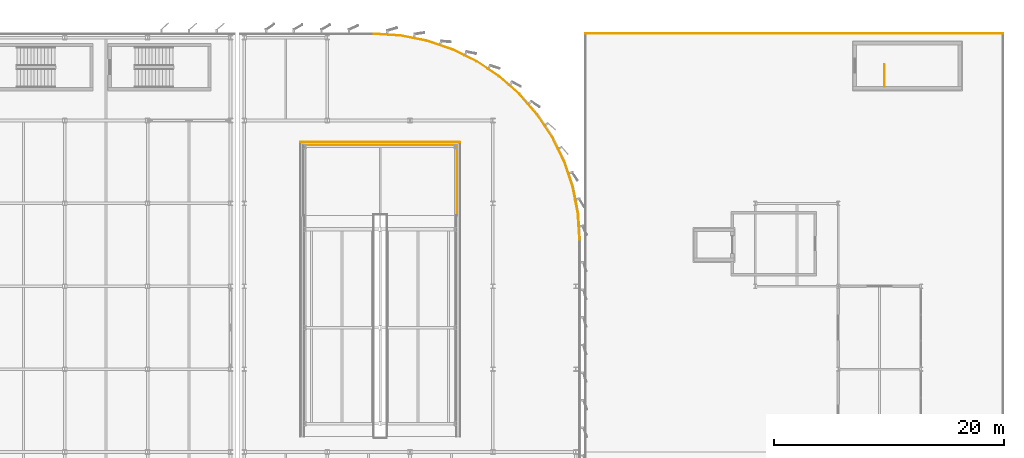
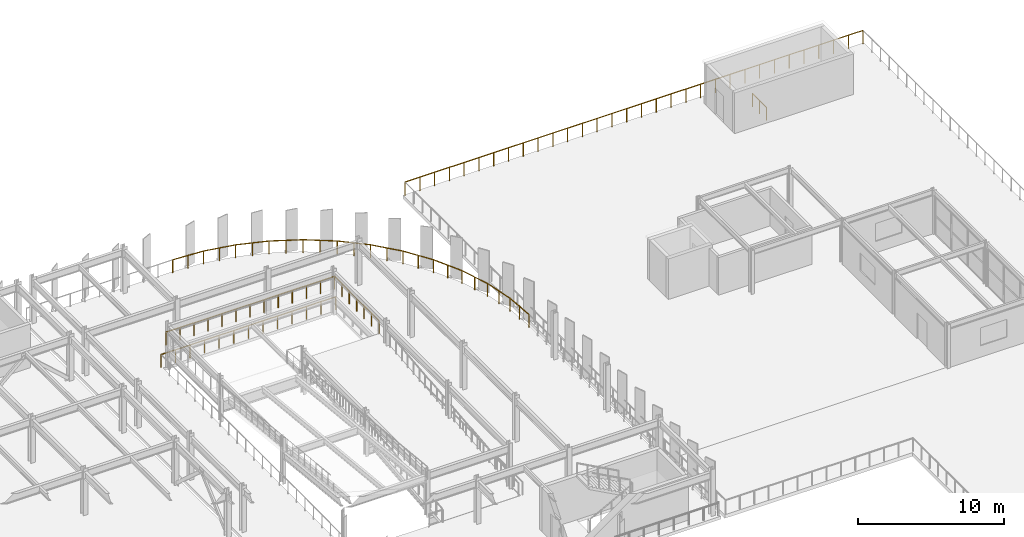
# One storey, part 52 of 52: 17 railings.
"""IFC4 building model written with IfcOpenShell, lengths in metres."""

from ifc_helpers import new_model, si_unit, direction, frame, origin, origin_2d, place, context, subcontext, project, spatial, circle, extrude, material, layer, layer_set, type_object, element, save


model = new_model("IFC4")

# Units and contexts
model_context = context("Model", 3, precision=1e-05, world=origin(), true_north=direction((0.0, 1.0)))
body_context = subcontext(model_context, "Body", "Model", "MODEL_VIEW")
ifc_project = project(units=[si_unit("LENGTHUNIT", "METRE"), si_unit("AREAUNIT", "SQUARE_METRE"), si_unit("VOLUMEUNIT", "CUBIC_METRE"), si_unit("PLANEANGLEUNIT", "RADIAN"), si_unit("MASSUNIT", "GRAM", prefix="KILO")], contexts=[model_context])

# Site, building, storey
site_placement = place(None, origin())
site = spatial("IfcSite", under=ifc_project, at=site_placement, CompositionType="ELEMENT")
building_placement = place(site_placement, origin())
building = spatial("IfcBuilding", under=site, at=building_placement, Name="Vaelcorin Mobility Hub", CompositionType="ELEMENT")
storey_placement = place(building_placement, frame((0.0, 0.0, 13.199951171875)))
storey = spatial("IfcBuildingStorey", under=building, at=storey_placement, Name="L03", CompositionType="ELEMENT", Elevation=13.199951171875)

# Railings
ifc_material_1 = material(Name="Galvanised structural steel ASTM A36", Category="steel")
ifc_layer_1 = layer(ifc_material_1, 0.070068359375)
ifc_layer_set_1 = layer_set([ifc_layer_1], Name="Galvanised structural steel ASTM A36")
railing_type_1 = type_object("IfcRailingType", Name="RL-GUARD-1100", PredefinedType="BALUSTRADE", material=ifc_layer_set_1)
railing_1_placement = place(storey_placement, frame((128.47998046875, 110.919921875, 0.0)))
element("IfcRailing", 1, at=railing_1_placement, inside=storey, type_object=railing_type_1, Name="L03 Perimeter Guard GR-V2E-L03-WELL-02", PredefinedType="BALUSTRADE", context=body_context, shape_type="SweptSolid", body=[
    extrude(circle(Radius=0.02392578125, at=origin_2d()), frame((0.0, 0.0, 1.076171875), z_axis=(1.0, 0.0, 0.0), x_axis=(0.0, 1.0, 0.0)), (0.0, 0.0, 1.0), 13.840087890625),
    extrude(circle(Radius=0.02099609375, at=origin_2d()), origin(), (0.0, 0.0, 1.0), 1.052001953125),
    extrude(circle(Radius=0.02099609375, at=origin_2d()), frame((1.1533203125, 0.0, 0.0)), (0.0, 0.0, 1.0), 1.052001953125),
    extrude(circle(Radius=0.02099609375, at=origin_2d()), frame((2.306640625, 0.0, 0.0)), (0.0, 0.0, 1.0), 1.052001953125),
    extrude(circle(Radius=0.02099609375, at=origin_2d()), frame((3.4599609375, 0.0, 0.0)), (0.0, 0.0, 1.0), 1.052001953125),
    extrude(circle(Radius=0.02099609375, at=origin_2d()), frame((4.61328125, 0.0, 0.0)), (0.0, 0.0, 1.0), 1.052001953125),
    extrude(circle(Radius=0.02099609375, at=origin_2d()), frame((5.7666015625, 0.0, 0.0)), (0.0, 0.0, 1.0), 1.052001953125),
    extrude(circle(Radius=0.02099609375, at=origin_2d()), frame((6.919921875, 0.0, 0.0)), (0.0, 0.0, 1.0), 1.052001953125),
    extrude(circle(Radius=0.02099609375, at=origin_2d()), frame((8.073486328125, 0.0, 0.0)), (0.0, 0.0, 1.0), 1.052001953125),
    extrude(circle(Radius=0.02099609375, at=origin_2d()), frame((9.226806640625, 0.0, 0.0)), (0.0, 0.0, 1.0), 1.052001953125),
    extrude(circle(Radius=0.02099609375, at=origin_2d()), frame((10.380126953125, 0.0, 0.0)), (0.0, 0.0, 1.0), 1.052001953125),
    extrude(circle(Radius=0.02099609375, at=origin_2d()), frame((11.533447265625, 0.0, 0.0)), (0.0, 0.0, 1.0), 1.052001953125),
    extrude(circle(Radius=0.02099609375, at=origin_2d()), frame((12.686767578125, 0.0, 0.0)), (0.0, 0.0, 1.0), 1.052001953125),
    extrude(circle(Radius=0.02099609375, at=origin_2d()), frame((13.840087890625, 0.0, 0.0)), (0.0, 0.0, 1.0), 1.052001953125),
])
railing_2_placement = place(storey_placement, frame((128.72998046875, 110.669921875, 1.949951171875)))
element("IfcRailing", 2, at=railing_2_placement, inside=storey, type_object=railing_type_1, Name="L03 Perimeter Guard GR-V2E-L03-LND-02", PredefinedType="BALUSTRADE", context=body_context, shape_type="SweptSolid", body=[
    extrude(circle(Radius=0.02392578125, at=origin_2d()), frame((0.0, 0.0, 1.076171875), z_axis=(1.0, 0.0, 0.0), x_axis=(0.0, 1.0, 0.0)), (0.0, 0.0, 1.0), 13.340087890625),
    extrude(circle(Radius=0.02099609375, at=origin_2d()), origin(), (0.0, 0.0, 1.0), 1.052001953125),
    extrude(circle(Radius=0.02099609375, at=origin_2d()), frame((1.111572265625, 0.0, 0.0)), (0.0, 0.0, 1.0), 1.052001953125),
    extrude(circle(Radius=0.02099609375, at=origin_2d()), frame((2.223388671875, 0.0, 0.0)), (0.0, 0.0, 1.0), 1.052001953125),
    extrude(circle(Radius=0.02099609375, at=origin_2d()), frame((3.3349609375, 0.0, 0.0)), (0.0, 0.0, 1.0), 1.052001953125),
    extrude(circle(Radius=0.02099609375, at=origin_2d()), frame((4.44677734375, 0.0, 0.0)), (0.0, 0.0, 1.0), 1.052001953125),
    extrude(circle(Radius=0.02099609375, at=origin_2d()), frame((5.558349609375, 0.0, 0.0)), (0.0, 0.0, 1.0), 1.052001953125),
    extrude(circle(Radius=0.02099609375, at=origin_2d()), frame((6.669921875, 0.0, 0.0)), (0.0, 0.0, 1.0), 1.052001953125),
    extrude(circle(Radius=0.02099609375, at=origin_2d()), frame((7.78173828125, 0.0, 0.0)), (0.0, 0.0, 1.0), 1.052001953125),
    extrude(circle(Radius=0.02099609375, at=origin_2d()), frame((8.893310546875, 0.0, 0.0)), (0.0, 0.0, 1.0), 1.052001953125),
    extrude(circle(Radius=0.02099609375, at=origin_2d()), frame((10.005126953125, 0.0, 0.0)), (0.0, 0.0, 1.0), 1.052001953125),
    extrude(circle(Radius=0.02099609375, at=origin_2d()), frame((11.11669921875, 0.0, 0.0)), (0.0, 0.0, 1.0), 1.052001953125),
    extrude(circle(Radius=0.02099609375, at=origin_2d()), frame((12.228515625, 0.0, 0.0)), (0.0, 0.0, 1.0), 1.052001953125),
    extrude(circle(Radius=0.02099609375, at=origin_2d()), frame((13.340087890625, 0.0, 0.0)), (0.0, 0.0, 1.0), 1.052001953125),
])
railing_3_placement = place(storey_placement, frame((142.070068359375, 110.669921875, 1.949951171875)))
element("IfcRailing", 3, at=railing_3_placement, inside=storey, type_object=railing_type_1, Name="L03 Perimeter Guard GR-V2E-L03-LND-03", PredefinedType="BALUSTRADE", context=body_context, shape_type="SweptSolid", body=[
    extrude(circle(Radius=0.02392578125, at=origin_2d()), frame((0.0, 0.0, 1.076171875), z_axis=(0.0, -1.0, 0.0), x_axis=(1.0, 0.0, 0.0)), (0.0, 0.0, 1.0), 6.10986328125),
    extrude(circle(Radius=0.02099609375, at=origin_2d()), origin(), (0.0, 0.0, 1.0), 1.052001953125),
    extrude(circle(Radius=0.02099609375, at=origin_2d()), frame((0.0, -1.018310546875, 0.0)), (0.0, 0.0, 1.0), 1.052001953125),
    extrude(circle(Radius=0.02099609375, at=origin_2d()), frame((0.0, -2.03662109375, 0.0)), (0.0, 0.0, 1.0), 1.052001953125),
    extrude(circle(Radius=0.02099609375, at=origin_2d()), frame((0.0, -3.054931640625, 0.0)), (0.0, 0.0, 1.0), 1.052001953125),
    extrude(circle(Radius=0.02099609375, at=origin_2d()), frame((0.0, -4.0732421875, 0.0)), (0.0, 0.0, 1.0), 1.052001953125),
    extrude(circle(Radius=0.02099609375, at=origin_2d()), frame((0.0, -5.091552734375, 0.0)), (0.0, 0.0, 1.0), 1.052001953125),
    extrude(circle(Radius=0.02099609375, at=origin_2d()), frame((0.0, -6.10986328125, 0.0)), (0.0, 0.0, 1.0), 1.052001953125),
])
railing_4_placement = place(storey_placement, frame((134.85009765625, 120.330078125, 0.0)))
element("IfcRailing", 4, at=railing_4_placement, inside=storey, type_object=railing_type_1, Name="L03 Perimeter Guard GR-V2E-L03-02", PredefinedType="BALUSTRADE", context=body_context, shape_type="SweptSolid", body=[
    extrude(circle(Radius=0.02392578125, at=origin_2d()), frame((0.0, 0.0, 1.076171875), z_axis=(0.99785616691, -0.065445169106, 0.0), x_axis=(0.065445169106, 0.99785616691, 0.0)), (0.0, 0.0, 1.0), 2.339111328125),
    extrude(circle(Radius=0.02099609375, at=origin_2d()), origin(), (0.0, 0.0, 1.0), 1.052001953125),
    extrude(circle(Radius=0.02099609375, at=origin_2d()), frame((1.1669921875, -0.07666015625, 0.0)), (0.0, 0.0, 1.0), 1.052001953125),
    extrude(circle(Radius=0.02099609375, at=origin_2d()), frame((2.333984375, -0.153076171875, 0.0)), (0.0, 0.0, 1.0), 1.052001953125),
])
railing_5_placement = place(storey_placement, frame((137.18408203125, 120.177001953125, 0.0)))
element("IfcRailing", 5, at=railing_5_placement, inside=storey, type_object=railing_type_1, Name="L03 Perimeter Guard GR-V2E-L03-03", PredefinedType="BALUSTRADE", context=body_context, shape_type="SweptSolid", body=[
    extrude(circle(Radius=0.02392578125, at=origin_2d()), frame((0.0, 0.0, 1.076171875), z_axis=(0.980804861331, -0.194991856212, 0.0), x_axis=(0.194991856212, 0.980804861331, 0.0)), (0.0, 0.0, 1.0), 2.3388671875),
    extrude(circle(Radius=0.02099609375, at=origin_2d()), origin(), (0.0, 0.0, 1.0), 1.052001953125),
    extrude(circle(Radius=0.02099609375, at=origin_2d()), frame((1.14697265625, -0.22802734375, 0.0)), (0.0, 0.0, 1.0), 1.052001953125),
    extrude(circle(Radius=0.02099609375, at=origin_2d()), frame((2.2939453125, -0.4560546875, 0.0)), (0.0, 0.0, 1.0), 1.052001953125),
])
railing_6_placement = place(storey_placement, frame((139.47802734375, 119.720947265625, 0.0)))
element("IfcRailing", 6, at=railing_6_placement, inside=storey, type_object=railing_type_1, Name="L03 Perimeter Guard GR-V2E-L03-04", PredefinedType="BALUSTRADE", context=body_context, shape_type="SweptSolid", body=[
    extrude(circle(Radius=0.02392578125, at=origin_2d()), frame((0.0, 0.0, 1.076171875), z_axis=(0.946871989611, -0.321610689017, 0.0), x_axis=(0.321610689017, 0.946871989611, 0.0)), (0.0, 0.0, 1.0), 2.338134765625),
    extrude(circle(Radius=0.02099609375, at=origin_2d()), origin(), (0.0, 0.0, 1.0), 1.052001953125),
    extrude(circle(Radius=0.02099609375, at=origin_2d()), frame((1.10693359375, -0.3759765625, 0.0)), (0.0, 0.0, 1.0), 1.052001953125),
    extrude(circle(Radius=0.02099609375, at=origin_2d()), frame((2.2138671875, -0.751953125, 0.0)), (0.0, 0.0, 1.0), 1.052001953125),
])
railing_7_placement = place(storey_placement, frame((141.69189453125, 118.968994140625, 0.0)))
element("IfcRailing", 7, at=railing_7_placement, inside=storey, type_object=railing_type_1, Name="L03 Perimeter Guard GR-V2E-L03-05", PredefinedType="BALUSTRADE", context=body_context, shape_type="SweptSolid", body=[
    extrude(circle(Radius=0.02392578125, at=origin_2d()), frame((0.0, 0.0, 1.076171875), z_axis=(0.897000714078, -0.44202909287, 0.0), x_axis=(0.44202909287, 0.897000714078, 0.0)), (0.0, 0.0, 1.0), 2.339111328125),
    extrude(circle(Radius=0.02099609375, at=origin_2d()), origin(), (0.0, 0.0, 1.0), 1.052001953125),
    extrude(circle(Radius=0.02099609375, at=origin_2d()), frame((1.049072265625, -0.51708984375, 0.0)), (0.0, 0.0, 1.0), 1.052001953125),
    extrude(circle(Radius=0.02099609375, at=origin_2d()), frame((2.09814453125, -1.033935546875, 0.0)), (0.0, 0.0, 1.0), 1.052001953125),
])
railing_8_placement = place(storey_placement, frame((143.7900390625, 117.93505859375, 0.0)))
element("IfcRailing", 8, at=railing_8_placement, inside=storey, type_object=railing_type_1, Name="L03 Perimeter Guard GR-V2E-L03-06", PredefinedType="BALUSTRADE", context=body_context, shape_type="SweptSolid", body=[
    extrude(circle(Radius=0.02392578125, at=origin_2d()), frame((0.0, 0.0, 1.076171875), z_axis=(0.831391473095, -0.555687158809, 0.0), x_axis=(0.555687158809, 0.831391473095, 0.0)), (0.0, 0.0, 1.0), 2.339599609375),
    extrude(circle(Radius=0.02099609375, at=origin_2d()), origin(), (0.0, 0.0, 1.0), 1.052001953125),
    extrude(circle(Radius=0.02099609375, at=origin_2d()), frame((0.97265625, -0.64990234375, 0.0)), (0.0, 0.0, 1.0), 1.052001953125),
    extrude(circle(Radius=0.02099609375, at=origin_2d()), frame((1.945068359375, -1.300048828125, 0.0)), (0.0, 0.0, 1.0), 1.052001953125),
])
railing_9_placement = place(storey_placement, frame((145.735107421875, 116.635009765625, 0.0)))
element("IfcRailing", 9, at=railing_9_placement, inside=storey, type_object=railing_type_1, Name="L03 Perimeter Guard GR-V2E-L03-07", PredefinedType="BALUSTRADE", context=body_context, shape_type="SweptSolid", body=[
    extrude(circle(Radius=0.02392578125, at=origin_2d()), frame((0.0, 0.0, 1.076171875), z_axis=(0.751748215972, -0.659450240566, 0.0), x_axis=(0.659450240566, 0.751748215972, 0.0)), (0.0, 0.0, 1.0), 2.33837890625),
    extrude(circle(Radius=0.02099609375, at=origin_2d()), origin(), (0.0, 0.0, 1.0), 1.052001953125),
    extrude(circle(Radius=0.02099609375, at=origin_2d()), frame((0.87890625, -0.77099609375, 0.0)), (0.0, 0.0, 1.0), 1.052001953125),
    extrude(circle(Radius=0.02099609375, at=origin_2d()), frame((1.7578125, -1.5419921875, 0.0)), (0.0, 0.0, 1.0), 1.052001953125),
])
railing_10_placement = place(storey_placement, frame((147.492919921875, 115.093017578125, 0.0)))
element("IfcRailing", 10, at=railing_10_placement, inside=storey, type_object=railing_type_1, Name="L03 Perimeter Guard GR-V2E-L03-08", PredefinedType="BALUSTRADE", context=body_context, shape_type="SweptSolid", body=[
    extrude(circle(Radius=0.02392578125, at=origin_2d()), frame((0.0, 0.0, 1.076171875), z_axis=(0.659398483057, -0.751793615657, 0.0), x_axis=(0.751793615657, 0.659398483057, 0.0)), (0.0, 0.0, 1.0), 2.33837890625),
    extrude(circle(Radius=0.02099609375, at=origin_2d()), origin(), (0.0, 0.0, 1.0), 1.052001953125),
    extrude(circle(Radius=0.02099609375, at=origin_2d()), frame((0.77099609375, -0.87890625, 0.0)), (0.0, 0.0, 1.0), 1.052001953125),
    extrude(circle(Radius=0.02099609375, at=origin_2d()), frame((1.5419921875, -1.758056640625, 0.0)), (0.0, 0.0, 1.0), 1.052001953125),
])
railing_11_placement = place(storey_placement, frame((149.034912109375, 113.3349609375, 0.0)))
element("IfcRailing", 11, at=railing_11_placement, inside=storey, type_object=railing_type_1, Name="L03 Perimeter Guard GR-V2E-L03-09", PredefinedType="BALUSTRADE", context=body_context, shape_type="SweptSolid", body=[
    extrude(circle(Radius=0.02392578125, at=origin_2d()), frame((0.0, 0.0, 1.076171875), z_axis=(0.555687158809, -0.831391473095, 0.0), x_axis=(0.831391473095, 0.555687158809, 0.0)), (0.0, 0.0, 1.0), 2.339599609375),
    extrude(circle(Radius=0.02099609375, at=origin_2d()), origin(), (0.0, 0.0, 1.0), 1.052001953125),
    extrude(circle(Radius=0.02099609375, at=origin_2d()), frame((0.64990234375, -0.97265625, 0.0)), (0.0, 0.0, 1.0), 1.052001953125),
    extrude(circle(Radius=0.02099609375, at=origin_2d()), frame((1.300048828125, -1.945068359375, 0.0)), (0.0, 0.0, 1.0), 1.052001953125),
])
railing_12_placement = place(storey_placement, frame((150.3349609375, 111.389892578125, 0.0)))
element("IfcRailing", 12, at=railing_12_placement, inside=storey, type_object=railing_type_1, Name="L03 Perimeter Guard GR-V2E-L03-10", PredefinedType="BALUSTRADE", context=body_context, shape_type="SweptSolid", body=[
    extrude(circle(Radius=0.02392578125, at=origin_2d()), frame((0.0, 0.0, 1.076171875), z_axis=(0.442070481095, -0.896980317367, 0.0), x_axis=(0.896980317367, 0.442070481095, 0.0)), (0.0, 0.0, 1.0), 2.3388671875),
    extrude(circle(Radius=0.02099609375, at=origin_2d()), origin(), (0.0, 0.0, 1.0), 1.052001953125),
    extrude(circle(Radius=0.02099609375, at=origin_2d()), frame((0.51708984375, -1.048828125, 0.0)), (0.0, 0.0, 1.0), 1.052001953125),
    extrude(circle(Radius=0.02099609375, at=origin_2d()), frame((1.033935546875, -2.097900390625, 0.0)), (0.0, 0.0, 1.0), 1.052001953125),
])
railing_13_placement = place(storey_placement, frame((151.368896484375, 109.2919921875, 0.0)))
element("IfcRailing", 13, at=railing_13_placement, inside=storey, type_object=railing_type_1, Name="L03 Perimeter Guard GR-V2E-L03-11", PredefinedType="BALUSTRADE", context=body_context, shape_type="SweptSolid", body=[
    extrude(circle(Radius=0.02392578125, at=origin_2d()), frame((0.0, 0.0, 1.076171875), z_axis=(0.321672500653, -0.946850992672, 0.0), x_axis=(0.946850992672, 0.321672500653, 0.0)), (0.0, 0.0, 1.0), 2.33837890625),
    extrude(circle(Radius=0.02099609375, at=origin_2d()), origin(), (0.0, 0.0, 1.0), 1.052001953125),
    extrude(circle(Radius=0.02099609375, at=origin_2d()), frame((0.3759765625, -1.10693359375, 0.0)), (0.0, 0.0, 1.0), 1.052001953125),
    extrude(circle(Radius=0.02099609375, at=origin_2d()), frame((0.752197265625, -2.214111328125, 0.0)), (0.0, 0.0, 1.0), 1.052001953125),
])
railing_14_placement = place(storey_placement, frame((152.12109375, 107.077880859375, 0.0)))
element("IfcRailing", 14, at=railing_14_placement, inside=storey, type_object=railing_type_1, Name="L03 Perimeter Guard GR-V2E-L03-12", PredefinedType="BALUSTRADE", context=body_context, shape_type="SweptSolid", body=[
    extrude(circle(Radius=0.02392578125, at=origin_2d()), frame((0.0, 0.0, 1.076171875), z_axis=(0.194891436706, -0.980824820189, 0.0), x_axis=(0.980824820189, 0.194891436706, 0.0)), (0.0, 0.0, 1.0), 2.3388671875),
    extrude(circle(Radius=0.02099609375, at=origin_2d()), origin(), (0.0, 0.0, 1.0), 1.052001953125),
    extrude(circle(Radius=0.02099609375, at=origin_2d()), frame((0.22802734375, -1.14697265625, 0.0)), (0.0, 0.0, 1.0), 1.052001953125),
    extrude(circle(Radius=0.02099609375, at=origin_2d()), frame((0.455810546875, -2.2939453125, 0.0)), (0.0, 0.0, 1.0), 1.052001953125),
])
railing_15_placement = place(storey_placement, frame((152.576904296875, 104.783935546875, 0.0)))
element("IfcRailing", 15, at=railing_15_placement, inside=storey, type_object=railing_type_1, Name="L03 Perimeter Guard GR-V2E-L03-13", PredefinedType="BALUSTRADE", context=body_context, shape_type="SweptSolid", body=[
    extrude(circle(Radius=0.02392578125, at=origin_2d()), frame((0.0, 0.0, 1.076171875), z_axis=(0.065445169106, -0.99785616691, 0.0), x_axis=(0.99785616691, 0.065445169106, 0.0)), (0.0, 0.0, 1.0), 2.339111328125),
    extrude(circle(Radius=0.02099609375, at=origin_2d()), origin(), (0.0, 0.0, 1.0), 1.052001953125),
    extrude(circle(Radius=0.02099609375, at=origin_2d()), frame((0.07666015625, -1.1669921875, 0.0)), (0.0, 0.0, 1.0), 1.052001953125),
    extrude(circle(Radius=0.02099609375, at=origin_2d()), frame((0.153076171875, -2.333984375, 0.0)), (0.0, 0.0, 1.0), 1.052001953125),
])
ifc_material_2 = material(Name="Anodised aluminium 6063-T6", Category="aluminium")
ifc_layer_2 = layer(ifc_material_2, 0.070068359375)
ifc_layer_set_2 = layer_set([ifc_layer_2], Name="Anodised aluminium 6063-T6")
railing_type_2 = type_object("IfcRailingType", Name="RL-GUARD-1150", PredefinedType="BALUSTRADE", material=ifc_layer_set_2)
railing_16_placement = place(storey_placement, frame((189.5, 120.35009765625, 0.0)))
element("IfcRailing", 16, at=railing_16_placement, inside=storey, type_object=railing_type_2, Name="L03 Perimeter Guard GR-L03-ROOFGARDEN-03", PredefinedType="BALUSTRADE", context=body_context, shape_type="SweptSolid", body=[
    extrude(circle(Radius=0.02392578125, at=origin_2d()), frame((0.0, 0.0, 1.1259765625), z_axis=(-1.0, 0.0, 0.0), x_axis=(0.0, -1.0, 0.0)), (0.0, 0.0, 1.0), 36.25),
    extrude(circle(Radius=0.02099609375, at=origin_2d()), origin(), (0.0, 0.0, 1.0), 1.101806640625),
    extrude(circle(Radius=0.02099609375, at=origin_2d()), frame((-1.16943359375, 0.0, 0.0)), (0.0, 0.0, 1.0), 1.101806640625),
    extrude(circle(Radius=0.02099609375, at=origin_2d()), frame((-2.338623046875, 0.0, 0.0)), (0.0, 0.0, 1.0), 1.101806640625),
    extrude(circle(Radius=0.02099609375, at=origin_2d()), frame((-3.508056640625, 0.0, 0.0)), (0.0, 0.0, 1.0), 1.101806640625),
    extrude(circle(Radius=0.02099609375, at=origin_2d()), frame((-4.677490234375, 0.0, 0.0)), (0.0, 0.0, 1.0), 1.101806640625),
    extrude(circle(Radius=0.02099609375, at=origin_2d()), frame((-5.8466796875, 0.0, 0.0)), (0.0, 0.0, 1.0), 1.101806640625),
    extrude(circle(Radius=0.02099609375, at=origin_2d()), frame((-7.01611328125, 0.0, 0.0)), (0.0, 0.0, 1.0), 1.101806640625),
    extrude(circle(Radius=0.02099609375, at=origin_2d()), frame((-8.185546875, 0.0, 0.0)), (0.0, 0.0, 1.0), 1.101806640625),
    extrude(circle(Radius=0.02099609375, at=origin_2d()), frame((-9.354736328125, 0.0, 0.0)), (0.0, 0.0, 1.0), 1.101806640625),
    extrude(circle(Radius=0.02099609375, at=origin_2d()), frame((-10.524169921875, 0.0, 0.0)), (0.0, 0.0, 1.0), 1.101806640625),
    extrude(circle(Radius=0.02099609375, at=origin_2d()), frame((-11.693603515625, 0.0, 0.0)), (0.0, 0.0, 1.0), 1.101806640625),
    extrude(circle(Radius=0.02099609375, at=origin_2d()), frame((-12.86279296875, 0.0, 0.0)), (0.0, 0.0, 1.0), 1.101806640625),
    extrude(circle(Radius=0.02099609375, at=origin_2d()), frame((-14.0322265625, 0.0, 0.0)), (0.0, 0.0, 1.0), 1.101806640625),
    extrude(circle(Radius=0.02099609375, at=origin_2d()), frame((-15.20166015625, 0.0, 0.0)), (0.0, 0.0, 1.0), 1.101806640625),
    extrude(circle(Radius=0.02099609375, at=origin_2d()), frame((-16.370849609375, 0.0, 0.0)), (0.0, 0.0, 1.0), 1.101806640625),
    extrude(circle(Radius=0.02099609375, at=origin_2d()), frame((-17.540283203125, 0.0, 0.0)), (0.0, 0.0, 1.0), 1.101806640625),
    extrude(circle(Radius=0.02099609375, at=origin_2d()), frame((-18.709716796875, 0.0, 0.0)), (0.0, 0.0, 1.0), 1.101806640625),
    extrude(circle(Radius=0.02099609375, at=origin_2d()), frame((-19.879150390625, 0.0, 0.0)), (0.0, 0.0, 1.0), 1.101806640625),
    extrude(circle(Radius=0.02099609375, at=origin_2d()), frame((-21.04833984375, 0.0, 0.0)), (0.0, 0.0, 1.0), 1.101806640625),
    extrude(circle(Radius=0.02099609375, at=origin_2d()), frame((-22.2177734375, 0.0, 0.0)), (0.0, 0.0, 1.0), 1.101806640625),
    extrude(circle(Radius=0.02099609375, at=origin_2d()), frame((-23.38720703125, 0.0, 0.0)), (0.0, 0.0, 1.0), 1.101806640625),
    extrude(circle(Radius=0.02099609375, at=origin_2d()), frame((-24.556396484375, 0.0, 0.0)), (0.0, 0.0, 1.0), 1.101806640625),
    extrude(circle(Radius=0.02099609375, at=origin_2d()), frame((-25.725830078125, 0.0, 0.0)), (0.0, 0.0, 1.0), 1.101806640625),
    extrude(circle(Radius=0.02099609375, at=origin_2d()), frame((-26.895263671875, 0.0, 0.0)), (0.0, 0.0, 1.0), 1.101806640625),
    extrude(circle(Radius=0.02099609375, at=origin_2d()), frame((-28.064453125, 0.0, 0.0)), (0.0, 0.0, 1.0), 1.101806640625),
    extrude(circle(Radius=0.02099609375, at=origin_2d()), frame((-29.23388671875, 0.0, 0.0)), (0.0, 0.0, 1.0), 1.101806640625),
    extrude(circle(Radius=0.02099609375, at=origin_2d()), frame((-30.4033203125, 0.0, 0.0)), (0.0, 0.0, 1.0), 1.101806640625),
    extrude(circle(Radius=0.02099609375, at=origin_2d()), frame((-31.572509765625, 0.0, 0.0)), (0.0, 0.0, 1.0), 1.101806640625),
    extrude(circle(Radius=0.02099609375, at=origin_2d()), frame((-32.741943359375, 0.0, 0.0)), (0.0, 0.0, 1.0), 1.101806640625),
    extrude(circle(Radius=0.02099609375, at=origin_2d()), frame((-33.911376953125, 0.0, 0.0)), (0.0, 0.0, 1.0), 1.101806640625),
    extrude(circle(Radius=0.02099609375, at=origin_2d()), frame((-35.08056640625, 0.0, 0.0)), (0.0, 0.0, 1.0), 1.101806640625),
    extrude(circle(Radius=0.02099609375, at=origin_2d()), frame((-36.25, 0.0, 0.0)), (0.0, 0.0, 1.0), 1.101806640625),
])
ifc_material_3 = material(Name="Brushed stainless steel 316L", Category="steel")
ifc_layer_3 = layer(ifc_material_3, 0.048095703125)
ifc_layer_set_3 = layer_set([ifc_layer_3], Name="Brushed stainless steel 316L")
railing_type_3 = type_object("IfcRailingType", Name="RL-STAIR-GRD", PredefinedType="GUARDRAIL", material=ifc_layer_set_3)
railing_17_placement = place(storey_placement, frame((179.199951171875, 115.75, 0.0)))
element("IfcRailing", 17, at=railing_17_placement, inside=storey, type_object=railing_type_3, Name="L03 ST6 top well guard 1", PredefinedType="GUARDRAIL", context=body_context, shape_type="SweptSolid", body=[
    extrude(circle(Radius=0.02392578125, at=origin_2d()), frame((0.0, 0.0, 1.076171875), z_axis=(0.0, 1.0, 0.0), x_axis=(-1.0, 0.0, 0.0)), (0.0, 0.0, 1.0), 1.89990234375),
    extrude(circle(Radius=0.02099609375, at=origin_2d()), origin(), (0.0, 0.0, 1.0), 1.052001953125),
    extrude(circle(Radius=0.02099609375, at=origin_2d()), frame((0.0, 0.949951171875, 0.0)), (0.0, 0.0, 1.0), 1.052001953125),
    extrude(circle(Radius=0.02099609375, at=origin_2d()), frame((0.0, 1.89990234375, 0.0)), (0.0, 0.0, 1.0), 1.052001953125),
])

save(model, "model.ifc")
